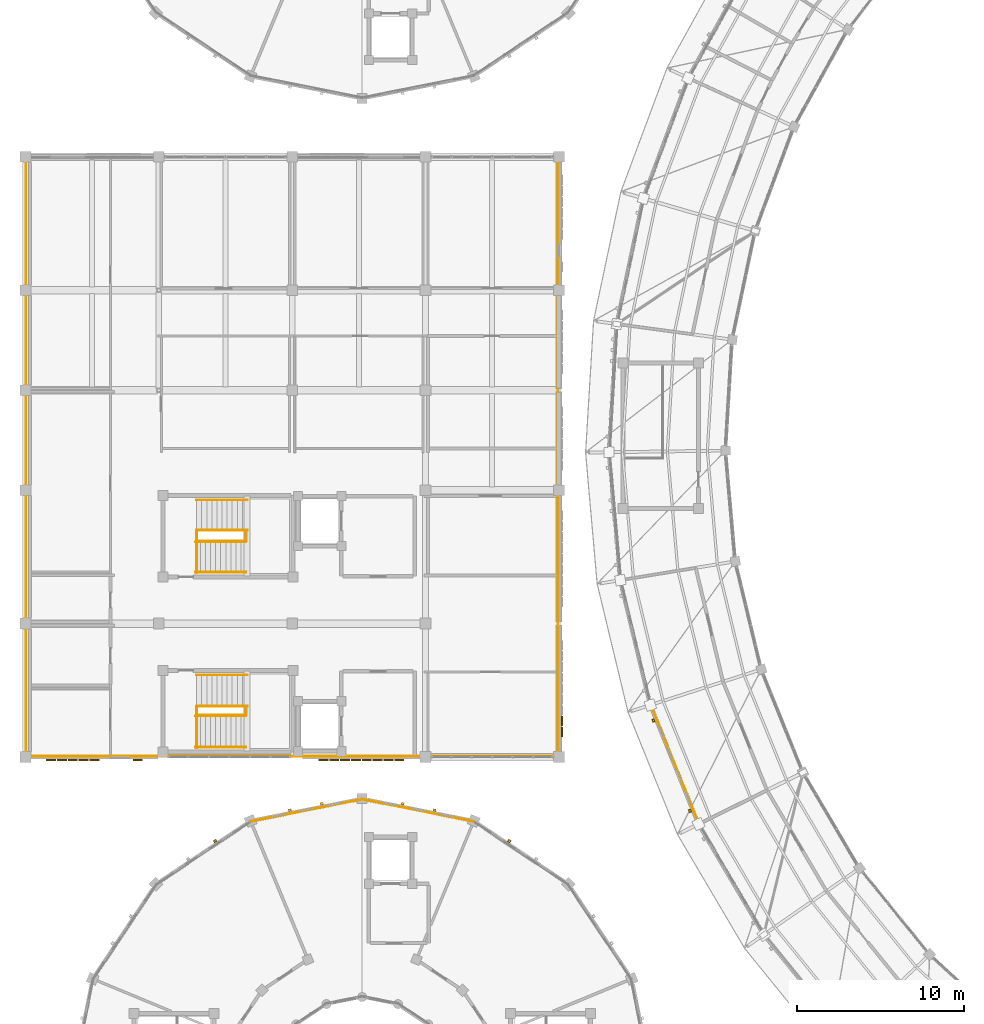
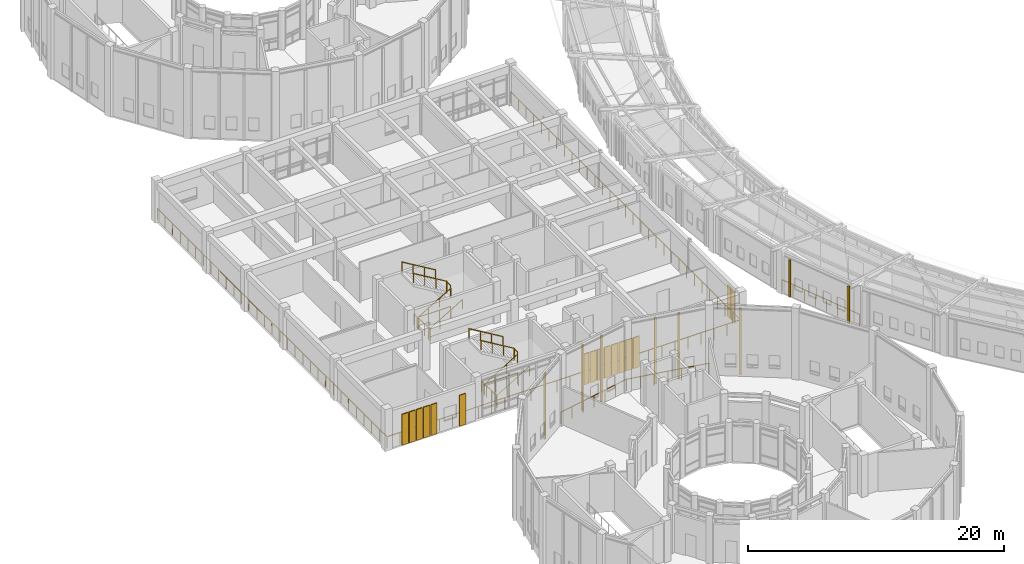
# One storey, part 138 of 149: 20 railings, 16 shading devices, 8 coverings.
"""IFC4 building model written with IfcOpenShell, lengths in metres."""

from ifc_helpers import new_model, si_unit, direction, frame, origin, origin_2d, place, context, subcontext, project, spatial, rectangle, circle, extrude, material, layer, layer_set, type_object, element, save


model = new_model("IFC4")

# Units and contexts
model_context = context("Model", 3, precision=1e-05, world=origin(), true_north=direction((0.0, 1.0)))
body_context = subcontext(model_context, "Body", "Model", "MODEL_VIEW")
ifc_project = project(units=[si_unit("LENGTHUNIT", "METRE"), si_unit("AREAUNIT", "SQUARE_METRE"), si_unit("VOLUMEUNIT", "CUBIC_METRE"), si_unit("PLANEANGLEUNIT", "RADIAN"), si_unit("MASSUNIT", "GRAM", prefix="KILO")], contexts=[model_context])

# Site, building, storey
site_placement = place(None, origin())
site = spatial("IfcSite", under=ifc_project, at=site_placement, CompositionType="ELEMENT")
building_placement = place(site_placement, origin())
building = spatial("IfcBuilding", under=site, at=building_placement, Name="Celadon Cloister-Ring School", CompositionType="ELEMENT")
storey_placement = place(building_placement, frame((0.0, 0.0, 12.5)))
storey = spatial("IfcBuildingStorey", under=building, at=storey_placement, Name="L03", CompositionType="ELEMENT", Elevation=12.5)

# Coverings
ifc_material_1 = material(Name="Perforated terracotta clay brick masonry", Category="masonry")
ifc_layer = layer(ifc_material_1, 0.139892578125)
ifc_layer_set = layer_set([ifc_layer], Name="Perforated terracotta clay brick masonry")
covering_type = type_object("IfcCoveringType", Name="CV-SC1", PredefinedType="CLADDING", material=ifc_layer_set)
for number, where, z_axis, x_axis, name in (
    (1, (39.863037109375, 36.77001953125, -0.00048828125), (0.0, 0.0, 1.0), (-0.375043476904, 0.927007222427, 0.0), "Brick Screen Rib 0359"),
    (2, (37.6689453125, 42.193115234375, -0.00048828125), (0.0, 0.0, 1.0), (-0.375043476904, 0.927007222427, 0.0), "Brick Screen Rib 0360"),
):
    element("IfcCovering", number, at=place(storey_placement, frame(where, z_axis=z_axis, x_axis=x_axis)), inside=storey, type_object=covering_type, Name=name, PredefinedType="CLADDING", context=body_context, shape_type="SweptSolid", body=[
        extrude(rectangle(XDim=0.179931640625, YDim=0.139892578125, at=origin_2d()), origin(), (0.0, 0.0, 1.0), 3.51708984375),
    ])
for number, where, z_axis, x_axis, name in (
    (3, (29.02294921875, 34.9599609375, 0.0), (0.0, 0.0, 1.0), (0.831401730389, -0.55567181205, 0.0), "Brick Screen Rib 0676"),
    (4, (22.626953125, 37.197998046875, 0.0), (0.0, 0.0, 1.0), (0.980775064153, -0.195141675546, 0.0), "Brick Screen Rib 0678"),
    (5, (24.5390625, 36.81689453125, 0.0), (0.0, 0.0, 1.0), (0.980775064153, -0.195141675546, 0.0), "Brick Screen Rib 0679"),
    (6, (15.861083984375, 36.81689453125, 0.0), (0.0, 0.0, 1.0), (0.980775064153, 0.195141675546, 0.0), "Brick Screen Rib 0680"),
    (7, (17.77294921875, 37.197998046875, 0.0), (0.0, 0.0, 1.0), (0.980775064153, 0.195141675546, 0.0), "Brick Screen Rib 0681"),
    (8, (11.376953125, 34.9599609375, 0.0), (0.0, 0.0, 1.0), (0.831401730389, 0.55567181205, 0.0), "Brick Screen Rib 0683"),
):
    element("IfcCovering", number, at=place(storey_placement, frame(where, z_axis=z_axis, x_axis=x_axis)), inside=storey, type_object=covering_type, Name=name, PredefinedType="CLADDING", context=body_context, shape_type="SweptSolid", body=[
        extrude(rectangle(XDim=0.179931640625, YDim=0.139892578125, at=origin_2d()), origin(), (0.0, 0.0, 1.0), 6.330078125),
    ])

# Railings
ifc_material_2 = material(Name="Structural steel S355JR", Category="steel")
railing_type_1 = type_object("IfcRailingType", Name="RL-BL1", PredefinedType="BALUSTRADE", material=ifc_material_2)
railing_1_placement = place(storey_placement, frame((37.52294921875, 43.1298828125, 0.0)))
element("IfcRailing", 9, at=railing_1_placement, inside=storey, type_object=railing_type_1, Name="Terrace Balustrade 0154", PredefinedType="BALUSTRADE", context=body_context, shape_type="SweptSolid", body=[
    extrude(circle(Radius=0.02392578125, at=origin_2d()), frame((0.0, 0.0, 1.09619140625), z_axis=(0.375144097263, -0.926966507641, 0.0), x_axis=(0.926966507641, 0.375144097263, 0.0)), (0.0, 0.0, 1.0), 7.6982421875),
    extrude(circle(Radius=0.02099609375, at=origin_2d()), origin(), (0.0, 0.0, 1.0), 1.072021484375),
    extrude(circle(Radius=0.02099609375, at=origin_2d()), frame((0.41259765625, -1.01953125, 0.0)), (0.0, 0.0, 1.0), 1.072021484375),
    extrude(circle(Radius=0.02099609375, at=origin_2d()), frame((0.8251953125, -2.038818359375, 0.0)), (0.0, 0.0, 1.0), 1.072021484375),
    extrude(circle(Radius=0.02099609375, at=origin_2d()), frame((1.23779296875, -3.058349609375, 0.0)), (0.0, 0.0, 1.0), 1.072021484375),
    extrude(circle(Radius=0.02099609375, at=origin_2d()), frame((1.650146484375, -4.07763671875, 0.0)), (0.0, 0.0, 1.0), 1.072021484375),
    extrude(circle(Radius=0.02099609375, at=origin_2d()), frame((2.062744140625, -5.09716796875, 0.0)), (0.0, 0.0, 1.0), 1.072021484375),
    extrude(circle(Radius=0.02099609375, at=origin_2d()), frame((2.475341796875, -6.116455078125, 0.0)), (0.0, 0.0, 1.0), 1.072021484375),
    extrude(circle(Radius=0.02099609375, at=origin_2d()), frame((2.887939453125, -7.135986328125, 0.0)), (0.0, 0.0, 1.0), 1.072021484375),
])
railing_2_placement = place(storey_placement, frame((26.882080078125, 36.131103515625, 0.0)))
element("IfcRailing", 10, at=railing_2_placement, inside=storey, type_object=railing_type_1, Name="Terrace Balustrade 0380", PredefinedType="BALUSTRADE", context=body_context, shape_type="SweptSolid", body=[
    extrude(circle(Radius=0.02392578125, at=origin_2d()), frame((0.0, 0.0, 1.09619140625), z_axis=(-0.980793723427, 0.195047871268, 0.0), x_axis=(-0.195047871268, -0.980793723427, 0.0)), (0.0, 0.0, 1.0), 6.81298828125),
    extrude(circle(Radius=0.02099609375, at=origin_2d()), origin(), (0.0, 0.0, 1.0), 1.072021484375),
    extrude(circle(Radius=0.02099609375, at=origin_2d()), frame((-1.11376953125, 0.221435546875, 0.0)), (0.0, 0.0, 1.0), 1.072021484375),
    extrude(circle(Radius=0.02099609375, at=origin_2d()), frame((-2.227294921875, 0.44287109375, 0.0)), (0.0, 0.0, 1.0), 1.072021484375),
    extrude(circle(Radius=0.02099609375, at=origin_2d()), frame((-3.341064453125, 0.66455078125, 0.0)), (0.0, 0.0, 1.0), 1.072021484375),
    extrude(circle(Radius=0.02099609375, at=origin_2d()), frame((-4.454833984375, 0.885986328125, 0.0)), (0.0, 0.0, 1.0), 1.072021484375),
    extrude(circle(Radius=0.02099609375, at=origin_2d()), frame((-5.568359375, 1.107421875, 0.0)), (0.0, 0.0, 1.0), 1.072021484375),
    extrude(circle(Radius=0.02099609375, at=origin_2d()), frame((-6.68212890625, 1.328857421875, 0.0)), (0.0, 0.0, 1.0), 1.072021484375),
])
railing_3_placement = place(storey_placement, frame((20.199951171875, 37.4599609375, 0.0)))
element("IfcRailing", 11, at=railing_3_placement, inside=storey, type_object=railing_type_1, Name="Terrace Balustrade 0381", PredefinedType="BALUSTRADE", context=body_context, shape_type="SweptSolid", body=[
    extrude(circle(Radius=0.02392578125, at=origin_2d()), frame((0.0, 0.0, 1.09619140625), z_axis=(-0.980792360074, -0.19505472673, 0.0), x_axis=(0.19505472673, -0.980792360074, 0.0)), (0.0, 0.0, 1.0), 6.812744140625),
    extrude(circle(Radius=0.02099609375, at=origin_2d()), origin(), (0.0, 0.0, 1.0), 1.072021484375),
    extrude(circle(Radius=0.02099609375, at=origin_2d()), frame((-1.11376953125, -0.221435546875, 0.0)), (0.0, 0.0, 1.0), 1.072021484375),
    extrude(circle(Radius=0.02099609375, at=origin_2d()), frame((-2.227294921875, -0.44287109375, 0.0)), (0.0, 0.0, 1.0), 1.072021484375),
    extrude(circle(Radius=0.02099609375, at=origin_2d()), frame((-3.3408203125, -0.66455078125, 0.0)), (0.0, 0.0, 1.0), 1.072021484375),
    extrude(circle(Radius=0.02099609375, at=origin_2d()), frame((-4.45458984375, -0.885986328125, 0.0)), (0.0, 0.0, 1.0), 1.072021484375),
    extrude(circle(Radius=0.02099609375, at=origin_2d()), frame((-5.568359375, -1.107421875, 0.0)), (0.0, 0.0, 1.0), 1.072021484375),
    extrude(circle(Radius=0.02099609375, at=origin_2d()), frame((-6.681884765625, -1.328857421875, 0.0)), (0.0, 0.0, 1.0), 1.072021484375),
])
railing_4_placement = place(storey_placement, frame((0.0400390625, 40.0400390625, 0.0)))
element("IfcRailing", 12, at=railing_4_placement, inside=storey, type_object=railing_type_1, Name="Terrace Balustrade 0452", PredefinedType="BALUSTRADE", context=body_context, shape_type="SweptSolid", body=[
    extrude(circle(Radius=0.02392578125, at=origin_2d()), frame((0.0, 0.0, 1.09619140625), z_axis=(1.0, 0.0, 0.0), x_axis=(0.0, 1.0, 0.0)), (0.0, 0.0, 1.0), 31.919921875),
    extrude(circle(Radius=0.02099609375, at=origin_2d()), origin(), (0.0, 0.0, 1.0), 1.072021484375),
    extrude(circle(Radius=0.02099609375, at=origin_2d()), frame((1.18212890625, 0.0, 0.0)), (0.0, 0.0, 1.0), 1.072021484375),
    extrude(circle(Radius=0.02099609375, at=origin_2d()), frame((2.364501953125, 0.0, 0.0)), (0.0, 0.0, 1.0), 1.072021484375),
    extrude(circle(Radius=0.02099609375, at=origin_2d()), frame((3.546630859375, 0.0, 0.0)), (0.0, 0.0, 1.0), 1.072021484375),
    extrude(circle(Radius=0.02099609375, at=origin_2d()), frame((4.728759765625, 0.0, 0.0)), (0.0, 0.0, 1.0), 1.072021484375),
    extrude(circle(Radius=0.02099609375, at=origin_2d()), frame((5.9111328125, 0.0, 0.0)), (0.0, 0.0, 1.0), 1.072021484375),
    extrude(circle(Radius=0.02099609375, at=origin_2d()), frame((7.09326171875, 0.0, 0.0)), (0.0, 0.0, 1.0), 1.072021484375),
    extrude(circle(Radius=0.02099609375, at=origin_2d()), frame((8.275634765625, 0.0, 0.0)), (0.0, 0.0, 1.0), 1.072021484375),
    extrude(circle(Radius=0.02099609375, at=origin_2d()), frame((9.457763671875, 0.0, 0.0)), (0.0, 0.0, 1.0), 1.072021484375),
    extrude(circle(Radius=0.02099609375, at=origin_2d()), frame((10.639892578125, 0.0, 0.0)), (0.0, 0.0, 1.0), 1.072021484375),
    extrude(circle(Radius=0.02099609375, at=origin_2d()), frame((11.822265625, 0.0, 0.0)), (0.0, 0.0, 1.0), 1.072021484375),
    extrude(circle(Radius=0.02099609375, at=origin_2d()), frame((13.00439453125, 0.0, 0.0)), (0.0, 0.0, 1.0), 1.072021484375),
    extrude(circle(Radius=0.02099609375, at=origin_2d()), frame((14.1865234375, 0.0, 0.0)), (0.0, 0.0, 1.0), 1.072021484375),
    extrude(circle(Radius=0.02099609375, at=origin_2d()), frame((15.368896484375, 0.0, 0.0)), (0.0, 0.0, 1.0), 1.072021484375),
    extrude(circle(Radius=0.02099609375, at=origin_2d()), frame((16.551025390625, 0.0, 0.0)), (0.0, 0.0, 1.0), 1.072021484375),
    extrude(circle(Radius=0.02099609375, at=origin_2d()), frame((17.7333984375, 0.0, 0.0)), (0.0, 0.0, 1.0), 1.072021484375),
    extrude(circle(Radius=0.02099609375, at=origin_2d()), frame((18.91552734375, 0.0, 0.0)), (0.0, 0.0, 1.0), 1.072021484375),
    extrude(circle(Radius=0.02099609375, at=origin_2d()), frame((20.09765625, 0.0, 0.0)), (0.0, 0.0, 1.0), 1.072021484375),
    extrude(circle(Radius=0.02099609375, at=origin_2d()), frame((21.280029296875, 0.0, 0.0)), (0.0, 0.0, 1.0), 1.072021484375),
    extrude(circle(Radius=0.02099609375, at=origin_2d()), frame((22.462158203125, 0.0, 0.0)), (0.0, 0.0, 1.0), 1.072021484375),
    extrude(circle(Radius=0.02099609375, at=origin_2d()), frame((23.644287109375, 0.0, 0.0)), (0.0, 0.0, 1.0), 1.072021484375),
    extrude(circle(Radius=0.02099609375, at=origin_2d()), frame((24.82666015625, 0.0, 0.0)), (0.0, 0.0, 1.0), 1.072021484375),
    extrude(circle(Radius=0.02099609375, at=origin_2d()), frame((26.0087890625, 0.0, 0.0)), (0.0, 0.0, 1.0), 1.072021484375),
    extrude(circle(Radius=0.02099609375, at=origin_2d()), frame((27.191162109375, 0.0, 0.0)), (0.0, 0.0, 1.0), 1.072021484375),
    extrude(circle(Radius=0.02099609375, at=origin_2d()), frame((28.373291015625, 0.0, 0.0)), (0.0, 0.0, 1.0), 1.072021484375),
    extrude(circle(Radius=0.02099609375, at=origin_2d()), frame((29.555419921875, 0.0, 0.0)), (0.0, 0.0, 1.0), 1.072021484375),
    extrude(circle(Radius=0.02099609375, at=origin_2d()), frame((30.73779296875, 0.0, 0.0)), (0.0, 0.0, 1.0), 1.072021484375),
    extrude(circle(Radius=0.02099609375, at=origin_2d()), frame((31.919921875, 0.0, 0.0)), (0.0, 0.0, 1.0), 1.072021484375),
])
railing_5_placement = place(storey_placement, frame((31.9599609375, 40.0400390625, 0.0)))
element("IfcRailing", 13, at=railing_5_placement, inside=storey, type_object=railing_type_1, Name="Terrace Balustrade 0453", PredefinedType="BALUSTRADE", context=body_context, shape_type="SweptSolid", body=[
    extrude(circle(Radius=0.02392578125, at=origin_2d()), frame((0.0, 0.0, 1.09619140625), z_axis=(0.0, 1.0, 0.0), x_axis=(-1.0, 0.0, 0.0)), (0.0, 0.0, 1.0), 35.919921875),
    extrude(circle(Radius=0.02099609375, at=origin_2d()), origin(), (0.0, 0.0, 1.0), 1.072021484375),
    extrude(circle(Radius=0.02099609375, at=origin_2d()), frame((0.0, 1.197265625, 0.0)), (0.0, 0.0, 1.0), 1.072021484375),
    extrude(circle(Radius=0.02099609375, at=origin_2d()), frame((0.0, 2.394775390625, 0.0)), (0.0, 0.0, 1.0), 1.072021484375),
    extrude(circle(Radius=0.02099609375, at=origin_2d()), frame((0.0, 3.592041015625, 0.0)), (0.0, 0.0, 1.0), 1.072021484375),
    extrude(circle(Radius=0.02099609375, at=origin_2d()), frame((0.0, 4.789306640625, 0.0)), (0.0, 0.0, 1.0), 1.072021484375),
    extrude(circle(Radius=0.02099609375, at=origin_2d()), frame((0.0, 5.986572265625, 0.0)), (0.0, 0.0, 1.0), 1.072021484375),
    extrude(circle(Radius=0.02099609375, at=origin_2d()), frame((0.0, 7.18408203125, 0.0)), (0.0, 0.0, 1.0), 1.072021484375),
    extrude(circle(Radius=0.02099609375, at=origin_2d()), frame((0.0, 8.38134765625, 0.0)), (0.0, 0.0, 1.0), 1.072021484375),
    extrude(circle(Radius=0.02099609375, at=origin_2d()), frame((0.0, 9.57861328125, 0.0)), (0.0, 0.0, 1.0), 1.072021484375),
    extrude(circle(Radius=0.02099609375, at=origin_2d()), frame((0.0, 10.77587890625, 0.0)), (0.0, 0.0, 1.0), 1.072021484375),
    extrude(circle(Radius=0.02099609375, at=origin_2d()), frame((0.0, 11.973388671875, 0.0)), (0.0, 0.0, 1.0), 1.072021484375),
    extrude(circle(Radius=0.02099609375, at=origin_2d()), frame((0.0, 13.170654296875, 0.0)), (0.0, 0.0, 1.0), 1.072021484375),
    extrude(circle(Radius=0.02099609375, at=origin_2d()), frame((0.0, 14.367919921875, 0.0)), (0.0, 0.0, 1.0), 1.072021484375),
    extrude(circle(Radius=0.02099609375, at=origin_2d()), frame((0.0, 15.565185546875, 0.0)), (0.0, 0.0, 1.0), 1.072021484375),
    extrude(circle(Radius=0.02099609375, at=origin_2d()), frame((0.0, 16.7626953125, 0.0)), (0.0, 0.0, 1.0), 1.072021484375),
    extrude(circle(Radius=0.02099609375, at=origin_2d()), frame((0.0, 17.9599609375, 0.0)), (0.0, 0.0, 1.0), 1.072021484375),
    extrude(circle(Radius=0.02099609375, at=origin_2d()), frame((0.0, 19.1572265625, 0.0)), (0.0, 0.0, 1.0), 1.072021484375),
    extrude(circle(Radius=0.02099609375, at=origin_2d()), frame((0.0, 20.354736328125, 0.0)), (0.0, 0.0, 1.0), 1.072021484375),
    extrude(circle(Radius=0.02099609375, at=origin_2d()), frame((0.0, 21.552001953125, 0.0)), (0.0, 0.0, 1.0), 1.072021484375),
    extrude(circle(Radius=0.02099609375, at=origin_2d()), frame((0.0, 22.749267578125, 0.0)), (0.0, 0.0, 1.0), 1.072021484375),
    extrude(circle(Radius=0.02099609375, at=origin_2d()), frame((0.0, 23.946533203125, 0.0)), (0.0, 0.0, 1.0), 1.072021484375),
    extrude(circle(Radius=0.02099609375, at=origin_2d()), frame((0.0, 25.14404296875, 0.0)), (0.0, 0.0, 1.0), 1.072021484375),
    extrude(circle(Radius=0.02099609375, at=origin_2d()), frame((0.0, 26.34130859375, 0.0)), (0.0, 0.0, 1.0), 1.072021484375),
    extrude(circle(Radius=0.02099609375, at=origin_2d()), frame((0.0, 27.53857421875, 0.0)), (0.0, 0.0, 1.0), 1.072021484375),
    extrude(circle(Radius=0.02099609375, at=origin_2d()), frame((0.0, 28.73583984375, 0.0)), (0.0, 0.0, 1.0), 1.072021484375),
    extrude(circle(Radius=0.02099609375, at=origin_2d()), frame((0.0, 29.933349609375, 0.0)), (0.0, 0.0, 1.0), 1.072021484375),
    extrude(circle(Radius=0.02099609375, at=origin_2d()), frame((0.0, 31.130615234375, 0.0)), (0.0, 0.0, 1.0), 1.072021484375),
    extrude(circle(Radius=0.02099609375, at=origin_2d()), frame((0.0, 32.327880859375, 0.0)), (0.0, 0.0, 1.0), 1.072021484375),
    extrude(circle(Radius=0.02099609375, at=origin_2d()), frame((0.0, 33.525146484375, 0.0)), (0.0, 0.0, 1.0), 1.072021484375),
    extrude(circle(Radius=0.02099609375, at=origin_2d()), frame((0.0, 34.72265625, 0.0)), (0.0, 0.0, 1.0), 1.072021484375),
    extrude(circle(Radius=0.02099609375, at=origin_2d()), frame((0.0, 35.919921875, 0.0)), (0.0, 0.0, 1.0), 1.072021484375),
])
railing_6_placement = place(storey_placement, frame((0.0400390625, 75.9599609375, 0.0)))
element("IfcRailing", 14, at=railing_6_placement, inside=storey, type_object=railing_type_1, Name="Terrace Balustrade 0455", PredefinedType="BALUSTRADE", context=body_context, shape_type="SweptSolid", body=[
    extrude(circle(Radius=0.02392578125, at=origin_2d()), frame((0.0, 0.0, 1.09619140625), z_axis=(0.0, -1.0, 0.0), x_axis=(1.0, 0.0, 0.0)), (0.0, 0.0, 1.0), 35.919921875),
    extrude(circle(Radius=0.02099609375, at=origin_2d()), origin(), (0.0, 0.0, 1.0), 1.072021484375),
    extrude(circle(Radius=0.02099609375, at=origin_2d()), frame((0.0, -1.197265625, 0.0)), (0.0, 0.0, 1.0), 1.072021484375),
    extrude(circle(Radius=0.02099609375, at=origin_2d()), frame((0.0, -2.394775390625, 0.0)), (0.0, 0.0, 1.0), 1.072021484375),
    extrude(circle(Radius=0.02099609375, at=origin_2d()), frame((0.0, -3.592041015625, 0.0)), (0.0, 0.0, 1.0), 1.072021484375),
    extrude(circle(Radius=0.02099609375, at=origin_2d()), frame((0.0, -4.789306640625, 0.0)), (0.0, 0.0, 1.0), 1.072021484375),
    extrude(circle(Radius=0.02099609375, at=origin_2d()), frame((0.0, -5.986572265625, 0.0)), (0.0, 0.0, 1.0), 1.072021484375),
    extrude(circle(Radius=0.02099609375, at=origin_2d()), frame((0.0, -7.18408203125, 0.0)), (0.0, 0.0, 1.0), 1.072021484375),
    extrude(circle(Radius=0.02099609375, at=origin_2d()), frame((0.0, -8.38134765625, 0.0)), (0.0, 0.0, 1.0), 1.072021484375),
    extrude(circle(Radius=0.02099609375, at=origin_2d()), frame((0.0, -9.57861328125, 0.0)), (0.0, 0.0, 1.0), 1.072021484375),
    extrude(circle(Radius=0.02099609375, at=origin_2d()), frame((0.0, -10.77587890625, 0.0)), (0.0, 0.0, 1.0), 1.072021484375),
    extrude(circle(Radius=0.02099609375, at=origin_2d()), frame((0.0, -11.973388671875, 0.0)), (0.0, 0.0, 1.0), 1.072021484375),
    extrude(circle(Radius=0.02099609375, at=origin_2d()), frame((0.0, -13.170654296875, 0.0)), (0.0, 0.0, 1.0), 1.072021484375),
    extrude(circle(Radius=0.02099609375, at=origin_2d()), frame((0.0, -14.367919921875, 0.0)), (0.0, 0.0, 1.0), 1.072021484375),
    extrude(circle(Radius=0.02099609375, at=origin_2d()), frame((0.0, -15.565185546875, 0.0)), (0.0, 0.0, 1.0), 1.072021484375),
    extrude(circle(Radius=0.02099609375, at=origin_2d()), frame((0.0, -16.7626953125, 0.0)), (0.0, 0.0, 1.0), 1.072021484375),
    extrude(circle(Radius=0.02099609375, at=origin_2d()), frame((0.0, -17.9599609375, 0.0)), (0.0, 0.0, 1.0), 1.072021484375),
    extrude(circle(Radius=0.02099609375, at=origin_2d()), frame((0.0, -19.1572265625, 0.0)), (0.0, 0.0, 1.0), 1.072021484375),
    extrude(circle(Radius=0.02099609375, at=origin_2d()), frame((0.0, -20.354736328125, 0.0)), (0.0, 0.0, 1.0), 1.072021484375),
    extrude(circle(Radius=0.02099609375, at=origin_2d()), frame((0.0, -21.552001953125, 0.0)), (0.0, 0.0, 1.0), 1.072021484375),
    extrude(circle(Radius=0.02099609375, at=origin_2d()), frame((0.0, -22.749267578125, 0.0)), (0.0, 0.0, 1.0), 1.072021484375),
    extrude(circle(Radius=0.02099609375, at=origin_2d()), frame((0.0, -23.946533203125, 0.0)), (0.0, 0.0, 1.0), 1.072021484375),
    extrude(circle(Radius=0.02099609375, at=origin_2d()), frame((0.0, -25.14404296875, 0.0)), (0.0, 0.0, 1.0), 1.072021484375),
    extrude(circle(Radius=0.02099609375, at=origin_2d()), frame((0.0, -26.34130859375, 0.0)), (0.0, 0.0, 1.0), 1.072021484375),
    extrude(circle(Radius=0.02099609375, at=origin_2d()), frame((0.0, -27.53857421875, 0.0)), (0.0, 0.0, 1.0), 1.072021484375),
    extrude(circle(Radius=0.02099609375, at=origin_2d()), frame((0.0, -28.73583984375, 0.0)), (0.0, 0.0, 1.0), 1.072021484375),
    extrude(circle(Radius=0.02099609375, at=origin_2d()), frame((0.0, -29.933349609375, 0.0)), (0.0, 0.0, 1.0), 1.072021484375),
    extrude(circle(Radius=0.02099609375, at=origin_2d()), frame((0.0, -31.130615234375, 0.0)), (0.0, 0.0, 1.0), 1.072021484375),
    extrude(circle(Radius=0.02099609375, at=origin_2d()), frame((0.0, -32.327880859375, 0.0)), (0.0, 0.0, 1.0), 1.072021484375),
    extrude(circle(Radius=0.02099609375, at=origin_2d()), frame((0.0, -33.525146484375, 0.0)), (0.0, 0.0, 1.0), 1.072021484375),
    extrude(circle(Radius=0.02099609375, at=origin_2d()), frame((0.0, -34.72265625, 0.0)), (0.0, 0.0, 1.0), 1.072021484375),
    extrude(circle(Radius=0.02099609375, at=origin_2d()), frame((0.0, -35.919921875, 0.0)), (0.0, 0.0, 1.0), 1.072021484375),
])
ifc_material_3 = material(Name="Structural steel S355JR", Category="steel")
railing_type_2 = type_object("IfcRailingType", Name="RL-BL2", PredefinedType="BALUSTRADE", material=ifc_material_3)
railing_7_placement = place(storey_placement, frame((13.239990234375, 42.5, 2.0)))
element("IfcRailing", 15, at=railing_7_placement, inside=storey, type_object=railing_type_2, Name="Interior Guard 0024", PredefinedType="BALUSTRADE", context=body_context, shape_type="SweptSolid", body=[
    extrude(circle(Radius=0.02392578125, at=origin_2d()), frame((0.0, 0.0, 1.09619140625), z_axis=(0.0, 1.0, 0.0), x_axis=(-1.0, 0.0, 0.0)), (0.0, 0.0, 1.0), 0.5),
    extrude(circle(Radius=0.02099609375, at=origin_2d()), origin(), (0.0, 0.0, 1.0), 1.072021484375),
    extrude(circle(Radius=0.02099609375, at=origin_2d()), frame((0.0, 0.5, 0.0)), (0.0, 0.0, 1.0), 1.072021484375),
])
railing_8_placement = place(storey_placement, frame((10.27001953125, 40.5400390625, 0.0)))
element("IfcRailing", 16, at=railing_8_placement, inside=storey, type_object=railing_type_2, Name="Interior Guard 0025", PredefinedType="BALUSTRADE", context=body_context, shape_type="SweptSolid", body=[
    extrude(circle(Radius=0.02392578125, at=origin_2d()), frame((0.0, 0.0, 1.09619140625), z_axis=(0.0, 1.0, 0.0), x_axis=(-1.0, 0.0, 0.0)), (0.0, 0.0, 1.0), 2.4599609375),
    extrude(circle(Radius=0.02099609375, at=origin_2d()), origin(), (0.0, 0.0, 1.0), 1.072021484375),
    extrude(circle(Radius=0.02099609375, at=origin_2d()), frame((0.0, 0.820068359375, 0.0)), (0.0, 0.0, 1.0), 1.072021484375),
    extrude(circle(Radius=0.02099609375, at=origin_2d()), frame((0.0, 1.639892578125, 0.0)), (0.0, 0.0, 1.0), 1.072021484375),
    extrude(circle(Radius=0.02099609375, at=origin_2d()), frame((0.0, 2.4599609375, 0.0)), (0.0, 0.0, 1.0), 1.072021484375),
])
railing_9_placement = place(storey_placement, frame((10.27001953125, 42.5, 0.0)))
element("IfcRailing", 17, at=railing_9_placement, inside=storey, type_object=railing_type_2, Name="Interior Guard 0026", PredefinedType="BALUSTRADE", context=body_context, shape_type="SweptSolid", body=[
    extrude(circle(Radius=0.02392578125, at=origin_2d()), frame((0.0, 0.0, 1.09619140625), z_axis=(1.0, 0.0, 0.0), x_axis=(0.0, 1.0, 0.0)), (0.0, 0.0, 1.0), 2.969970703125),
    extrude(circle(Radius=0.02099609375, at=origin_2d()), origin(), (0.0, 0.0, 1.0), 1.072021484375),
    extrude(circle(Radius=0.02099609375, at=origin_2d()), frame((0.989990234375, 0.0, 0.0)), (0.0, 0.0, 1.0), 1.072021484375),
    extrude(circle(Radius=0.02099609375, at=origin_2d()), frame((1.97998046875, 0.0, 0.0)), (0.0, 0.0, 1.0), 1.072021484375),
    extrude(circle(Radius=0.02099609375, at=origin_2d()), frame((2.969970703125, 0.0, 0.0)), (0.0, 0.0, 1.0), 1.072021484375),
])
railing_10_placement = place(storey_placement, frame((13.239990234375, 52.93994140625, 2.0)))
element("IfcRailing", 18, at=railing_10_placement, inside=storey, type_object=railing_type_2, Name="Interior Guard 0059", PredefinedType="BALUSTRADE", context=body_context, shape_type="SweptSolid", body=[
    extrude(circle(Radius=0.02392578125, at=origin_2d()), frame((0.0, 0.0, 1.09619140625), z_axis=(0.0, 1.0, 0.0), x_axis=(-1.0, 0.0, 0.0)), (0.0, 0.0, 1.0), 0.6201171875),
    extrude(circle(Radius=0.02099609375, at=origin_2d()), origin(), (0.0, 0.0, 1.0), 1.072021484375),
    extrude(circle(Radius=0.02099609375, at=origin_2d()), frame((0.0, 0.6201171875, 0.0)), (0.0, 0.0, 1.0), 1.072021484375),
])
railing_11_placement = place(storey_placement, frame((10.27001953125, 51.0400390625, 0.0)))
element("IfcRailing", 19, at=railing_11_placement, inside=storey, type_object=railing_type_2, Name="Interior Guard 0060", PredefinedType="BALUSTRADE", context=body_context, shape_type="SweptSolid", body=[
    extrude(circle(Radius=0.02392578125, at=origin_2d()), frame((0.0, 0.0, 1.09619140625), z_axis=(0.0, 1.0, 0.0), x_axis=(-1.0, 0.0, 0.0)), (0.0, 0.0, 1.0), 2.52001953125),
    extrude(circle(Radius=0.02099609375, at=origin_2d()), origin(), (0.0, 0.0, 1.0), 1.072021484375),
    extrude(circle(Radius=0.02099609375, at=origin_2d()), frame((0.0, 0.840087890625, 0.0)), (0.0, 0.0, 1.0), 1.072021484375),
    extrude(circle(Radius=0.02099609375, at=origin_2d()), frame((0.0, 1.679931640625, 0.0)), (0.0, 0.0, 1.0), 1.072021484375),
    extrude(circle(Radius=0.02099609375, at=origin_2d()), frame((0.0, 2.52001953125, 0.0)), (0.0, 0.0, 1.0), 1.072021484375),
])
railing_12_placement = place(storey_placement, frame((10.27001953125, 52.93994140625, 0.0)))
element("IfcRailing", 20, at=railing_12_placement, inside=storey, type_object=railing_type_2, Name="Interior Guard 0061", PredefinedType="BALUSTRADE", context=body_context, shape_type="SweptSolid", body=[
    extrude(circle(Radius=0.02392578125, at=origin_2d()), frame((0.0, 0.0, 1.09619140625), z_axis=(1.0, 0.0, 0.0), x_axis=(0.0, 1.0, 0.0)), (0.0, 0.0, 1.0), 2.969970703125),
    extrude(circle(Radius=0.02099609375, at=origin_2d()), origin(), (0.0, 0.0, 1.0), 1.072021484375),
    extrude(circle(Radius=0.02099609375, at=origin_2d()), frame((0.989990234375, 0.0, 0.0)), (0.0, 0.0, 1.0), 1.072021484375),
    extrude(circle(Radius=0.02099609375, at=origin_2d()), frame((1.97998046875, 0.0, 0.0)), (0.0, 0.0, 1.0), 1.072021484375),
    extrude(circle(Radius=0.02099609375, at=origin_2d()), frame((2.969970703125, 0.0, 0.0)), (0.0, 0.0, 1.0), 1.072021484375),
])
ifc_material_4 = material(Name="Structural steel S355JR", Category="steel")
railing_type_3 = type_object("IfcRailingType", Name="RL-HR1", PredefinedType="HANDRAIL", material=ifc_material_4)
for number, where, name in (
    (21, (10.18994140625, 40.5849609375, 0.181884765625), "Stair Handrail 0020"),
    (22, (10.18994140625, 42.455078125, 0.181884765625), "Stair Handrail 0021"),
):
    element("IfcRailing", number, at=place(storey_placement, frame(where)), inside=storey, type_object=railing_type_3, Name=name, PredefinedType="HANDRAIL", context=body_context, shape_type="SweptSolid", body=[
        extrude(circle(Radius=0.02099609375, at=origin_2d()), frame((0.0, 0.0, 0.87890625), z_axis=(0.858969654429, 0.0, 0.51202649616), x_axis=(0.0, 1.0, 0.0)), (0.0, 0.0, 1.0), 3.55078125),
        extrude(circle(Radius=0.01806640625, at=origin_2d()), origin(), (0.0, 0.0, 1.0), 0.85791015625),
        extrude(circle(Radius=0.01806640625, at=origin_2d()), frame((1.0166015625, 0.0, 0.60595703125)), (0.0, 0.0, 1.0), 0.85791015625),
        extrude(circle(Radius=0.01806640625, at=origin_2d()), frame((2.033447265625, 0.0, 1.212158203125)), (0.0, 0.0, 1.0), 0.85791015625),
        extrude(circle(Radius=0.01806640625, at=origin_2d()), frame((3.050048828125, 0.0, 1.818115234375)), (0.0, 0.0, 1.0), 0.85791015625),
    ])
for number, where, name in (
    (23, (13.320068359375, 44.9150390625, 2.181884765625), "Stair Handrail 0022"),
    (24, (13.320068359375, 43.044921875, 2.181884765625), "Stair Handrail 0023"),
):
    element("IfcRailing", number, at=place(storey_placement, frame(where)), inside=storey, type_object=railing_type_3, Name=name, PredefinedType="HANDRAIL", context=body_context, shape_type="SweptSolid", body=[
        extrude(circle(Radius=0.02099609375, at=origin_2d()), frame((0.0, 0.0, 0.87890625), z_axis=(-0.858969654429, 0.0, 0.51202649616), x_axis=(0.0, -1.0, 0.0)), (0.0, 0.0, 1.0), 3.55078125),
        extrude(circle(Radius=0.01806640625, at=origin_2d()), origin(), (0.0, 0.0, 1.0), 0.85791015625),
        extrude(circle(Radius=0.01806640625, at=origin_2d()), frame((-1.0166015625, 0.0, 0.60595703125)), (0.0, 0.0, 1.0), 0.85791015625),
        extrude(circle(Radius=0.01806640625, at=origin_2d()), frame((-2.033447265625, 0.0, 1.212158203125)), (0.0, 0.0, 1.0), 0.85791015625),
        extrude(circle(Radius=0.01806640625, at=origin_2d()), frame((-3.050048828125, 0.0, 1.818115234375)), (0.0, 0.0, 1.0), 0.85791015625),
    ])
for number, where, name in (
    (25, (10.18994140625, 51.0849609375, 0.181884765625), "Stair Handrail 0055"),
    (26, (10.18994140625, 52.89501953125, 0.181884765625), "Stair Handrail 0056"),
):
    element("IfcRailing", number, at=place(storey_placement, frame(where)), inside=storey, type_object=railing_type_3, Name=name, PredefinedType="HANDRAIL", context=body_context, shape_type="SweptSolid", body=[
        extrude(circle(Radius=0.02099609375, at=origin_2d()), frame((0.0, 0.0, 0.87890625), z_axis=(0.858969654429, 0.0, 0.51202649616), x_axis=(0.0, 1.0, 0.0)), (0.0, 0.0, 1.0), 3.55078125),
        extrude(circle(Radius=0.01806640625, at=origin_2d()), origin(), (0.0, 0.0, 1.0), 0.85791015625),
        extrude(circle(Radius=0.01806640625, at=origin_2d()), frame((1.0166015625, 0.0, 0.60595703125)), (0.0, 0.0, 1.0), 0.85791015625),
        extrude(circle(Radius=0.01806640625, at=origin_2d()), frame((2.033447265625, 0.0, 1.212158203125)), (0.0, 0.0, 1.0), 0.85791015625),
        extrude(circle(Radius=0.01806640625, at=origin_2d()), frame((3.050048828125, 0.0, 1.818115234375)), (0.0, 0.0, 1.0), 0.85791015625),
    ])
for number, where, name in (
    (27, (13.320068359375, 55.4150390625, 2.181884765625), "Stair Handrail 0057"),
    (28, (13.320068359375, 53.60498046875, 2.181884765625), "Stair Handrail 0058"),
):
    element("IfcRailing", number, at=place(storey_placement, frame(where)), inside=storey, type_object=railing_type_3, Name=name, PredefinedType="HANDRAIL", context=body_context, shape_type="SweptSolid", body=[
        extrude(circle(Radius=0.02099609375, at=origin_2d()), frame((0.0, 0.0, 0.87890625), z_axis=(-0.858969654429, 0.0, 0.51202649616), x_axis=(0.0, -1.0, 0.0)), (0.0, 0.0, 1.0), 3.55078125),
        extrude(circle(Radius=0.01806640625, at=origin_2d()), origin(), (0.0, 0.0, 1.0), 0.85791015625),
        extrude(circle(Radius=0.01806640625, at=origin_2d()), frame((-1.0166015625, 0.0, 0.60595703125)), (0.0, 0.0, 1.0), 0.85791015625),
        extrude(circle(Radius=0.01806640625, at=origin_2d()), frame((-2.033447265625, 0.0, 1.212158203125)), (0.0, 0.0, 1.0), 0.85791015625),
        extrude(circle(Radius=0.01806640625, at=origin_2d()), frame((-3.050048828125, 0.0, 1.818115234375)), (0.0, 0.0, 1.0), 0.85791015625),
    ])

# Shading devices
ifc_material_5 = material(Name="Glazed celadon architectural terracotta", Category="masonry")
shading_device_type = type_object("IfcShadingDeviceType", Name="SD-01", PredefinedType="USERDEFINED", material=ifc_material_5)
for number, where, z_axis, x_axis, name in (
    (29, (32.172119140625, 42.156982421875, 0.0), (0.0, 0.0, 1.0), (0.0, -1.0, 0.0), "Celadon Sunshade Screen 0275"),
    (30, (32.172119140625, 41.508056640625, 0.0), (0.0, 0.0, 1.0), (0.0, -1.0, 0.0), "Celadon Sunshade Screen 0276"),
    (31, (22.425048828125, 39.827880859375, 0.0), (0.0, 0.0, 1.0), (-1.0, 0.0, 0.0), "Celadon Sunshade Screen 0277"),
    (32, (21.77490234375, 39.827880859375, 0.0), (0.0, 0.0, 1.0), (-1.0, 0.0, 0.0), "Celadon Sunshade Screen 0278"),
    (33, (21.125, 39.827880859375, 0.0), (0.0, 0.0, 1.0), (-1.0, 0.0, 0.0), "Celadon Sunshade Screen 0279"),
    (34, (20.47509765625, 39.827880859375, 0.0), (0.0, 0.0, 1.0), (-1.0, 0.0, 0.0), "Celadon Sunshade Screen 0280"),
    (35, (19.824951171875, 39.827880859375, 0.0), (0.0, 0.0, 1.0), (-1.0, 0.0, 0.0), "Celadon Sunshade Screen 0281"),
    (36, (19.175048828125, 39.827880859375, 0.0), (0.0, 0.0, 1.0), (-1.0, 0.0, 0.0), "Celadon Sunshade Screen 0282"),
    (37, (18.52490234375, 39.827880859375, 0.0), (0.0, 0.0, 1.0), (-1.0, 0.0, 0.0), "Celadon Sunshade Screen 0283"),
    (38, (17.875, 39.827880859375, 0.0), (0.0, 0.0, 1.0), (-1.0, 0.0, 0.0), "Celadon Sunshade Screen 0284"),
    (39, (6.738037109375, 39.827880859375, 0.0), (0.0, 0.0, 1.0), (-1.0, 0.0, 0.0), "Celadon Sunshade Screen 0285"),
    (40, (4.137939453125, 39.827880859375, 0.0), (0.0, 0.0, 1.0), (-1.0, 0.0, 0.0), "Celadon Sunshade Screen 0286"),
    (41, (3.488037109375, 39.827880859375, 0.0), (0.0, 0.0, 1.0), (-1.0, 0.0, 0.0), "Celadon Sunshade Screen 0287"),
    (42, (2.837890625, 39.827880859375, 0.0), (0.0, 0.0, 1.0), (-1.0, 0.0, 0.0), "Celadon Sunshade Screen 0288"),
    (43, (2.18798828125, 39.827880859375, 0.0), (0.0, 0.0, 1.0), (-1.0, 0.0, 0.0), "Celadon Sunshade Screen 0289"),
    (44, (1.537109375, 39.827880859375, 0.0), (0.0, 0.0, 1.0), (-1.0, 0.0, 0.0), "Celadon Sunshade Screen 0290"),
):
    element("IfcShadingDevice", number, at=place(storey_placement, frame(where, z_axis=z_axis, x_axis=x_axis)), inside=storey, type_object=shading_device_type, Name=name, ObjectType="SUNSHADE", PredefinedType="USERDEFINED", context=body_context, shape_type="SweptSolid", body=[
        extrude(rectangle(XDim=0.56005859375, YDim=0.090087890625, at=origin_2d()), origin(), (0.0, 0.0, 1.0), 2.949951171875),
    ])

save(model, "model.ifc")
